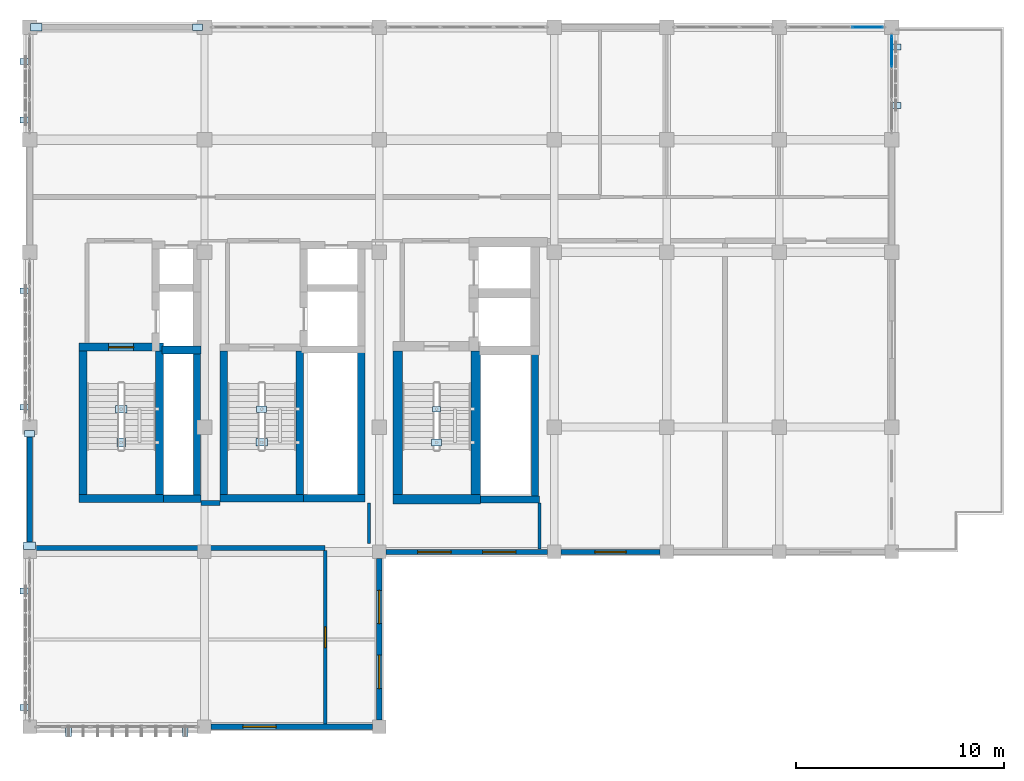
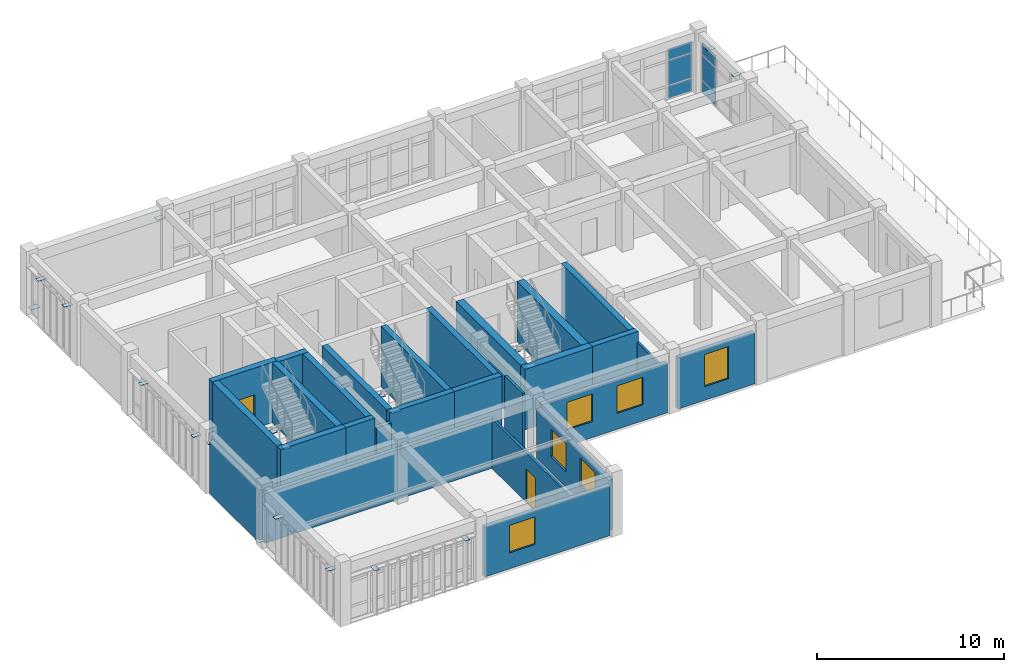
# One storey, part 18 of 22: 27 walls, 26 plates, 6 windows, 2 doors, 8 openings, 2 elements without a shape of their own.
"""IFC4 building model written with IfcOpenShell, lengths in metres."""

from ifc_helpers import new_model, si_unit, direction, frame, frame_2d, origin, origin_2d, place, context, subcontext, project, spatial, rectangle, extrude, material, layer, layer_set, type_object, element, fill, aggregate, save


model = new_model("IFC4")

# Units and contexts
model_context = context("Model", 3, precision=1e-05, world=origin(), true_north=direction((0.0, 1.0)))
body_context = subcontext(model_context, "Body", "Model", "MODEL_VIEW")
ifc_project = project(units=[si_unit("LENGTHUNIT", "METRE"), si_unit("AREAUNIT", "SQUARE_METRE"), si_unit("VOLUMEUNIT", "CUBIC_METRE"), si_unit("PLANEANGLEUNIT", "RADIAN"), si_unit("MASSUNIT", "GRAM", prefix="KILO")], contexts=[model_context])

# Site, building, storey
site_placement = place(None, origin())
site = spatial("IfcSite", under=ifc_project, at=site_placement, CompositionType="ELEMENT")
building_placement = place(site_placement, origin())
building = spatial("IfcBuilding", under=site, at=building_placement, Name="Krzemoval Escarpment Law Courts", CompositionType="ELEMENT")
storey_placement = place(building_placement, frame((0.0, 0.0, 29.39990234375)))
storey = spatial("IfcBuildingStorey", under=building, at=storey_placement, Name="L06", CompositionType="ELEMENT", Elevation=29.39990234375)

# Curtain wall, plates
ifc_material_1 = material(Name="Aluminium 6063-T6", Category="aluminium")
ifc_layer_1 = layer(ifc_material_1, 0.219970703125)
ifc_layer_set_1 = layer_set([ifc_layer_1], Name="Aluminium 6063-T6")
curtain_wall_type = type_object("IfcCurtainWallType", Name="CW-CHMB-4200", PredefinedType="USERDEFINED", material=ifc_layer_set_1)
curtain_wall_1_placement = place(storey_placement, origin())
curtain_wall_1 = element("IfcCurtainWall", 1, at=curtain_wall_1_placement, inside=storey, type_object=curtain_wall_type, Name="Unitised Curtain Wall FCW-L06-152", ObjectType="UNITISED_CURTAIN_WALL", PredefinedType="USERDEFINED")
ifc_material_2 = material(Name="Triple Glazing IGU", Category="glass")
ifc_layer_2 = layer(ifc_material_2, 0.0419921875)
ifc_layer_set_2 = layer_set([ifc_layer_2], Name="Triple Glazing IGU")
plate_type_1 = type_object("IfcPlateType", Name="CWP-GLZ-42", PredefinedType="CURTAIN_PANEL", material=ifc_layer_set_2)
plate_1_placement = place(storey_placement, frame((166.25048828125, 118.800048828125, 0.06494140625), z_axis=(0.0, 0.0, 1.0), x_axis=(1.0, 0.0, 0.0)))
plate_1 = element("IfcPlate", 2, at=plate_1_placement, type_object=plate_type_1, Name="FCW-L06-152 panel 3.1", PredefinedType="CURTAIN_PANEL", context=body_context, shape_type="SweptSolid", body=[
    extrude(rectangle(XDim=1.46923828125, YDim=0.0419921875, at=origin_2d()), origin(), (0.0, 0.0, 1.0), 0.802490234375),
])
plate_2_placement = place(storey_placement, frame((166.25048828125, 118.800048828125, 0.9326171875), z_axis=(0.0, 0.0, 1.0), x_axis=(1.0, 0.0, 0.0)))
plate_2 = element("IfcPlate", 3, at=plate_2_placement, type_object=plate_type_1, Name="FCW-L06-152 panel 3.2", PredefinedType="CURTAIN_PANEL", context=body_context, shape_type="SweptSolid", body=[
    extrude(rectangle(XDim=1.46923828125, YDim=0.0419921875, at=origin_2d()), origin(), (0.0, 0.0, 1.0), 1.5849609375),
])
plate_3_placement = place(storey_placement, frame((166.25048828125, 118.800048828125, 2.58251953125), z_axis=(0.0, 0.0, 1.0), x_axis=(1.0, 0.0, 0.0)))
plate_3 = element("IfcPlate", 4, at=plate_3_placement, type_object=plate_type_1, Name="FCW-L06-152 panel 3.3", PredefinedType="CURTAIN_PANEL", context=body_context, shape_type="SweptSolid", body=[
    extrude(rectangle(XDim=1.46923828125, YDim=0.0419921875, at=origin_2d()), origin(), (0.0, 0.0, 1.0), 0.702392578125),
])
aggregate(curtain_wall_1, [plate_1, plate_2, plate_3])

curtain_wall_2_placement = place(storey_placement, origin())
curtain_wall_2 = element("IfcCurtainWall", 5, at=curtain_wall_2_placement, inside=storey, type_object=curtain_wall_type, Name="Unitised Curtain Wall FCW-L06-153", ObjectType="UNITISED_CURTAIN_WALL", PredefinedType="USERDEFINED")
plate_4_placement = place(storey_placement, frame((167.39990234375, 117.650390625, 0.06494140625), z_axis=(0.0, 0.0, 1.0), x_axis=(0.0, -1.0, 0.0)))
plate_4 = element("IfcPlate", 6, at=plate_4_placement, type_object=plate_type_1, Name="FCW-L06-153 panel 1.1", PredefinedType="CURTAIN_PANEL", context=body_context, shape_type="SweptSolid", body=[
    extrude(rectangle(XDim=1.46923828125, YDim=0.0419921875, at=origin_2d()), origin(), (0.0, 0.0, 1.0), 0.802490234375),
])
plate_5_placement = place(storey_placement, frame((167.39990234375, 117.650390625, 0.9326171875), z_axis=(0.0, 0.0, 1.0), x_axis=(0.0, -1.0, 0.0)))
plate_5 = element("IfcPlate", 7, at=plate_5_placement, type_object=plate_type_1, Name="FCW-L06-153 panel 1.2", PredefinedType="CURTAIN_PANEL", context=body_context, shape_type="SweptSolid", body=[
    extrude(rectangle(XDim=1.46923828125, YDim=0.0419921875, at=origin_2d()), origin(), (0.0, 0.0, 1.0), 1.5849609375),
])
plate_6_placement = place(storey_placement, frame((167.39990234375, 117.650390625, 2.58251953125), z_axis=(0.0, 0.0, 1.0), x_axis=(0.0, -1.0, 0.0)))
plate_6 = element("IfcPlate", 8, at=plate_6_placement, type_object=plate_type_1, Name="FCW-L06-153 panel 1.3", PredefinedType="CURTAIN_PANEL", context=body_context, shape_type="SweptSolid", body=[
    extrude(rectangle(XDim=1.46923828125, YDim=0.0419921875, at=origin_2d()), origin(), (0.0, 0.0, 1.0), 0.75244140625),
])
aggregate(curtain_wall_2, [plate_4, plate_5, plate_6])

# Plates
ifc_material_3 = material(Name="Anodised Aluminium Alloy 6063-T6", Category="aluminium")
ifc_layer_3 = layer(ifc_material_3, 0.01611328125)
ifc_layer_set_3 = layer_set([ifc_layer_3], Name="Anodised Aluminium Alloy 6063-T6")
plate_type_2 = type_object("IfcPlateType", Name="PLT-FIN-16", PredefinedType="USERDEFINED", material=ifc_layer_set_3)
for number, where, z_axis, x_axis, name in (
    (9, (133.47509765625, 85.0, 3.02197265625), (0.0, 0.0, 1.0), (0.0, -1.0, 0.0), "Sunshade Fin Blade FN-L06-0963"),
    (10, (127.875, 85.0, 3.02197265625), (0.0, 0.0, 1.0), (0.0, -1.0, 0.0), "Sunshade Fin Blade FN-L06-0971"),
    (11, (125.800048828125, 86.125, 3.02197265625), (0.0, 0.0, 1.0), (-1.0, 0.0, 0.0), "Sunshade Fin Blade FN-L06-0974"),
    (12, (125.800048828125, 91.72509765625, 3.02197265625), (0.0, 0.0, 1.0), (-1.0, 0.0, 0.0), "Sunshade Fin Blade FN-L06-0982"),
    (13, (125.800048828125, 100.550048828125, 3.02197265625), (0.0, 0.0, 1.0), (-1.0, 0.0, 0.0), "Sunshade Fin Blade FN-L06-0985"),
    (14, (125.800048828125, 106.14990234375, 3.02197265625), (0.0, 0.0, 1.0), (-1.0, 0.0, 0.0), "Sunshade Fin Blade FN-L06-0993"),
    (15, (125.800048828125, 114.35009765625, 3.172119140625), (0.0, 0.0, 1.0), (-1.0, 0.0, 0.0), "Sunshade Fin Blade FN-L06-0996"),
    (16, (125.800048828125, 117.14990234375, 3.172119140625), (0.0, 0.0, 1.0), (-1.0, 0.0, 0.0), "Sunshade Fin Blade FN-L06-1000"),
    (17, (167.60009765625, 117.85009765625, 3.172119140625), (0.0, 0.0, 1.0), (1.0, 0.0, 0.0), "Sunshade Fin Blade FN-L06-1003"),
    (18, (167.60009765625, 115.050048828125, 3.172119140625), (0.0, 0.0, 1.0), (1.0, 0.0, 0.0), "Sunshade Fin Blade FN-L06-1007"),
):
    element("IfcPlate", number, at=place(storey_placement, frame(where, z_axis=z_axis, x_axis=x_axis)), inside=storey, type_object=plate_type_2, Name=name, ObjectType="SUNSHADE_FIN", PredefinedType="USERDEFINED", context=body_context, shape_type="SweptSolid", body=[
        extrude(rectangle(XDim=0.52001953125, YDim=0.280029296875, at=origin_2d()), origin(), (0.0, 0.0, 1.0), 0.01611328125),
    ])
ifc_material_4 = material(Name="Steel S355", Category="steel")
ifc_layer_4 = layer(ifc_material_4, 0.02392578125)
ifc_layer_set_4 = layer_set([ifc_layer_4], Name="Steel S355")
plate_type_3 = type_object("IfcPlateType", Name="PLT-FLG-24", PredefinedType="USERDEFINED", material=ifc_layer_set_4)
plate_7_placement = place(storey_placement, frame((130.39990234375, 98.860107421875, 1.658203125), z_axis=(0.0, 0.0, 1.0), x_axis=(1.0, 0.0, 0.0)))
element("IfcPlate", 19, at=plate_7_placement, inside=storey, type_object=plate_type_3, Name="Gusset and End-Cap Plate ECP-0310", ObjectType="FLANGE_PLATE", PredefinedType="USERDEFINED", context=body_context, shape_type="SweptSolid", body=[
    extrude(rectangle(XDim=0.419921875, YDim=0.419921875, at=origin_2d()), origin(), (0.0, 0.0, 1.0), 0.02392578125),
])
ifc_material_5 = material(Name="Steel S355", Category="steel")
ifc_layer_5 = layer(ifc_material_5, 0.01611328125)
ifc_layer_set_5 = layer_set([ifc_layer_5], Name="Steel S355")
plate_type_4 = type_object("IfcPlateType", Name="PLT-GUS-16", PredefinedType="USERDEFINED", material=ifc_layer_set_5)
plate_8_placement = place(storey_placement, frame((145.550048828125, 100.4599609375, 1.662109375), z_axis=(0.0, 0.0, 1.0), x_axis=(1.0, 0.0, 0.0)))
element("IfcPlate", 20, at=plate_8_placement, inside=storey, type_object=plate_type_4, Name="Gusset and End-Cap Plate ECP-0355", ObjectType="GUSSET_PLATE", PredefinedType="USERDEFINED", context=body_context, shape_type="SweptSolid", body=[
    extrude(rectangle(XDim=0.3798828125, YDim=0.260009765625, at=origin_2d()), origin(), (0.0, 0.0, 1.0), 0.01611328125),
])
ifc_material_6 = material(Name="Steel S355", Category="steel")
ifc_layer_6 = layer(ifc_material_6, 0.02001953125)
ifc_layer_set_6 = layer_set([ifc_layer_6], Name="Steel S355")
plate_type_5 = type_object("IfcPlateType", Name="PLT-GUS-20", PredefinedType="USERDEFINED", material=ifc_layer_set_6)
for number, where, z_axis, x_axis, name in (
    (21, (126.0, 99.27490234375, 3.260009765625), (0.0, 0.0, 1.0), (1.0, 0.0, 0.0), "Gusset and End-Cap Plate ECP-0275"),
    (22, (134.074951171875, 118.800048828125, 3.260009765625), (0.0, 0.0, 1.0), (1.0, 0.0, 0.0), "Gusset and End-Cap Plate ECP-0285"),
    (23, (137.14990234375, 100.4599609375, 1.66015625), (0.0, 0.0, 1.0), (1.0, 0.0, 0.0), "Gusset and End-Cap Plate ECP-0333"),
    (24, (145.550048828125, 98.860107421875, 1.66015625), (0.0, 0.0, 1.0), (1.0, 0.0, 0.0), "Gusset and End-Cap Plate ECP-0354"),
):
    element("IfcPlate", number, at=place(storey_placement, frame(where, z_axis=z_axis, x_axis=x_axis)), inside=storey, type_object=plate_type_5, Name=name, ObjectType="GUSSET_PLATE", PredefinedType="USERDEFINED", context=body_context, shape_type="SweptSolid", body=[
        extrude(rectangle(XDim=0.47998046875, YDim=0.320068359375, at=origin_2d()), origin(), (0.0, 0.0, 1.0), 0.02001953125),
    ])
ifc_material_7 = material(Name="Steel S355", Category="steel")
ifc_layer_7 = layer(ifc_material_7, 0.030029296875)
ifc_layer_set_7 = layer_set([ifc_layer_7], Name="Steel S355")
plate_type_6 = type_object("IfcPlateType", Name="PLT-GUS-30", PredefinedType="USERDEFINED", material=ifc_layer_set_7)
for number, where, z_axis, x_axis, name in (
    (25, (126.0, 93.89990234375, 0.125), (0.0, 0.0, 1.0), (1.0, 0.0, 0.0), "Gusset and End-Cap Plate ECP-0274"),
    (26, (126.324951171875, 118.800048828125, 0.125), (0.0, 0.0, 1.0), (1.0, 0.0, 0.0), "Gusset and End-Cap Plate ECP-0284"),
    (27, (130.39990234375, 100.4599609375, 1.6552734375), (0.0, 0.0, 1.0), (1.0, 0.0, 0.0), "Gusset and End-Cap Plate ECP-0311"),
    (28, (137.14990234375, 98.860107421875, 1.6552734375), (0.0, 0.0, 1.0), (1.0, 0.0, 0.0), "Gusset and End-Cap Plate ECP-0332"),
):
    element("IfcPlate", number, at=place(storey_placement, frame(where, z_axis=z_axis, x_axis=x_axis)), inside=storey, type_object=plate_type_6, Name=name, ObjectType="GUSSET_PLATE", PredefinedType="USERDEFINED", context=body_context, shape_type="SweptSolid", body=[
        extrude(rectangle(XDim=0.56005859375, YDim=0.360107421875, at=origin_2d()), origin(), (0.0, 0.0, 1.0), 0.030029296875),
    ])

# Wall, opening, window
ifc_material_8 = material(Name="Precast concrete C40/50", Category="concrete")
ifc_layer_8 = layer(ifc_material_8, 0.260009765625)
ifc_layer_set_8 = layer_set([ifc_layer_8], Name="Precast concrete C40/50")
wall_type_1 = type_object("IfcWallType", Name="WL-EXT-260", PredefinedType="SOLIDWALL", material=ifc_layer_set_8)
wall_1_placement = place(storey_placement, frame((142.47509765625, 85.199951171875, 0.0), z_axis=(0.0, 0.0, 1.0), x_axis=(-1.0, 0.0, 0.0)))
wall_1 = element("IfcWall", 29, at=wall_1_placement, inside=storey, type_object=wall_type_1, Name="Exterior Wall EW-L06-0441", PredefinedType="SOLIDWALL", context=body_context, shape_type="SweptSolid", body=[
    extrude(rectangle(XDim=7.75, YDim=0.260009765625, at=frame_2d((3.875, 0.0))), origin(), (0.0, 0.0, 1.0), 3.25),
])
opening_1_placement = place(wall_1_placement, frame((4.633056640625, 0.0, 1.050048828125)))
opening_1 = element("IfcOpeningElement", 30, at=opening_1_placement, cuts=wall_1, Name="Opening WN-L06-0526", PredefinedType="OPENING", context=body_context, shape_type="SweptSolid", body=[
    extrude(rectangle(XDim=1.60009765625, YDim=1.800048828125, at=frame_2d((0.800048828125, 0.89990234375))), frame((0.0, 0.145, 0.0), z_axis=(0.0, -1.0, 0.0), x_axis=(1.0, 0.0, 0.0)), (0.0, 0.0, 1.0), 0.29001),
])
ifc_material_9 = material(Name="Thermally Broken Aluminium Frame with Triple Low-E Acoustic Glass", Category="aluminium")
window_type_1 = type_object("IfcWindowType", Name="WN-1600x1800", PartitioningType="SINGLE_PANEL", PredefinedType="WINDOW", material=ifc_material_9)
window_1_placement = place(opening_1_placement, origin())
window_1 = element("IfcWindow", 31, at=window_1_placement, inside=storey, type_object=window_type_1, Name="Facade Window WN-L06-0526", OverallHeight=1.800048828125, OverallWidth=1.60009765625, PartitioningType="SINGLE_PANEL", PredefinedType="WINDOW", context=body_context, shape_type="SweptSolid", body=[
    extrude(rectangle(XDim=1.60009765625, YDim=1.800048828125, at=frame_2d((0.800048828125, 0.89990234375))), frame((0.0, 0.030029296875, 0.0), z_axis=(0.0, -1.0, 0.0), x_axis=(1.0, 0.0, 0.0)), (0.0, 0.0, 1.0), 0.06005859375),
])
fill(opening_1, window_1)

# Wall
wall_2_placement = place(storey_placement, frame((126.0, 93.925048828125, 0.0), z_axis=(0.0, 0.0, 1.0), x_axis=(0.0, 1.0, 0.0)))
element("IfcWall", 32, at=wall_2_placement, inside=storey, type_object=wall_type_1, Name="Exterior Wall EW-L06-0442", PredefinedType="SOLIDWALL", context=body_context, shape_type="SweptSolid", body=[
    extrude(rectangle(XDim=5.324951171875, YDim=0.260009765625, at=frame_2d((2.66259765625, 0.0))), origin(), (0.0, 0.0, 1.0), 3.400146484375),
])

# Wall, opening, window
wall_3_placement = place(storey_placement, frame((156.27490234375, 93.60009765625, 0.0), z_axis=(0.0, 0.0, 1.0), x_axis=(-1.0, 0.0, 0.0)))
wall_3 = element("IfcWall", 33, at=wall_3_placement, inside=storey, type_object=wall_type_1, Name="Exterior Wall EW-L06-0451", PredefinedType="SOLIDWALL", context=body_context, shape_type="SweptSolid", body=[
    extrude(rectangle(XDim=4.75, YDim=0.260009765625, at=frame_2d((2.375, 0.0))), origin(), (0.0, 0.0, 1.0), 3.35009765625),
])
opening_2_placement = place(wall_3_placement, frame((1.625, 0.0, 0.89990234375)))
opening_2 = element("IfcOpeningElement", 34, at=opening_2_placement, cuts=wall_3, Name="Opening WN-L06-0530", PredefinedType="OPENING", context=body_context, shape_type="SweptSolid", body=[
    extrude(rectangle(XDim=1.5, YDim=2.10009765625, at=frame_2d((0.75, 1.050048828125))), frame((0.0, 0.145, 0.0), z_axis=(0.0, -1.0, 0.0), x_axis=(1.0, 0.0, 0.0)), (0.0, 0.0, 1.0), 0.29001),
])
ifc_material_10 = material(Name="Thermally Broken Aluminium Frame with Triple Low-E Acoustic Glass", Category="aluminium")
window_type_2 = type_object("IfcWindowType", Name="WN-1500x2100", PartitioningType="SINGLE_PANEL", PredefinedType="WINDOW", material=ifc_material_10)
window_2_placement = place(opening_2_placement, origin())
window_2 = element("IfcWindow", 35, at=window_2_placement, inside=storey, type_object=window_type_2, Name="Facade Window WN-L06-0530", OverallHeight=2.10009765625, OverallWidth=1.5, PartitioningType="SINGLE_PANEL", PredefinedType="WINDOW", context=body_context, shape_type="SweptSolid", body=[
    extrude(rectangle(XDim=1.5, YDim=2.10009765625, at=frame_2d((0.75, 1.050048828125))), frame((0.0, 0.030029296875, 0.0), z_axis=(0.0, -1.0, 0.0), x_axis=(1.0, 0.0, 0.0)), (0.0, 0.0, 1.0), 0.06005859375),
])
fill(opening_2, window_2)

# Wall, openings, windows
wall_4_placement = place(storey_placement, frame((150.875, 93.60009765625, 0.0), z_axis=(0.0, 0.0, 1.0), x_axis=(-1.0, 0.0, 0.0)))
wall_4 = element("IfcWall", 36, at=wall_4_placement, inside=storey, type_object=wall_type_1, Name="Exterior Wall EW-L06-0452", PredefinedType="SOLIDWALL", context=body_context, shape_type="SweptSolid", body=[
    extrude(rectangle(XDim=7.75, YDim=0.260009765625, at=frame_2d((3.875, 0.0))), origin(), (0.0, 0.0, 1.0), 3.25),
])
opening_3_placement = place(wall_4_placement, frame((1.51708984375, 0.0, 1.050048828125)))
opening_3 = element("IfcOpeningElement", 37, at=opening_3_placement, cuts=wall_4, Name="Opening WN-L06-0531", PredefinedType="OPENING", context=body_context, shape_type="SweptSolid", body=[
    extrude(rectangle(XDim=1.60009765625, YDim=1.800048828125, at=frame_2d((0.800048828125, 0.89990234375))), frame((0.0, 0.145, 0.0), z_axis=(0.0, -1.0, 0.0), x_axis=(1.0, 0.0, 0.0)), (0.0, 0.0, 1.0), 0.29001),
])
opening_4_placement = place(wall_4_placement, frame((4.633056640625, 0.0, 1.050048828125)))
opening_4 = element("IfcOpeningElement", 38, at=opening_4_placement, cuts=wall_4, Name="Opening WN-L06-0532", PredefinedType="OPENING", context=body_context, shape_type="SweptSolid", body=[
    extrude(rectangle(XDim=1.60009765625, YDim=1.800048828125, at=frame_2d((0.800048828125, 0.89990234375))), frame((0.0, 0.145, 0.0), z_axis=(0.0, -1.0, 0.0), x_axis=(1.0, 0.0, 0.0)), (0.0, 0.0, 1.0), 0.29001),
])
window_3_placement = place(opening_3_placement, origin())
window_3 = element("IfcWindow", 39, at=window_3_placement, inside=storey, type_object=window_type_1, Name="Facade Window WN-L06-0531", OverallHeight=1.800048828125, OverallWidth=1.60009765625, PartitioningType="SINGLE_PANEL", PredefinedType="WINDOW", context=body_context, shape_type="SweptSolid", body=[
    extrude(rectangle(XDim=1.60009765625, YDim=1.800048828125, at=frame_2d((0.800048828125, 0.89990234375))), frame((0.0, 0.030029296875, 0.0), z_axis=(0.0, -1.0, 0.0), x_axis=(1.0, 0.0, 0.0)), (0.0, 0.0, 1.0), 0.06005859375),
])
fill(opening_3, window_3)
window_4_placement = place(opening_4_placement, origin())
window_4 = element("IfcWindow", 40, at=window_4_placement, inside=storey, type_object=window_type_1, Name="Facade Window WN-L06-0532", OverallHeight=1.800048828125, OverallWidth=1.60009765625, PartitioningType="SINGLE_PANEL", PredefinedType="WINDOW", context=body_context, shape_type="SweptSolid", body=[
    extrude(rectangle(XDim=1.60009765625, YDim=1.800048828125, at=frame_2d((0.800048828125, 0.89990234375))), frame((0.0, 0.030029296875, 0.0), z_axis=(0.0, -1.0, 0.0), x_axis=(1.0, 0.0, 0.0)), (0.0, 0.0, 1.0), 0.06005859375),
])
fill(opening_4, window_4)

wall_5_placement = place(storey_placement, frame((142.800048828125, 93.27490234375, 0.0), z_axis=(0.0, 0.0, 1.0), x_axis=(0.0, -1.0, 0.0)))
wall_5 = element("IfcWall", 41, at=wall_5_placement, inside=storey, type_object=wall_type_1, Name="Exterior Wall EW-L06-0453", PredefinedType="SOLIDWALL", context=body_context, shape_type="SweptSolid", body=[
    extrude(rectangle(XDim=7.75, YDim=0.260009765625, at=frame_2d((3.875, 0.0))), origin(), (0.0, 0.0, 1.0), 3.25),
])
opening_5_placement = place(wall_5_placement, frame((1.51708984375, 0.0, 1.050048828125)))
opening_5 = element("IfcOpeningElement", 42, at=opening_5_placement, cuts=wall_5, Name="Opening WN-L06-0533", PredefinedType="OPENING", context=body_context, shape_type="SweptSolid", body=[
    extrude(rectangle(XDim=1.60009765625, YDim=1.800048828125, at=frame_2d((0.800048828125, 0.89990234375))), frame((0.0, 0.145, 0.0), z_axis=(0.0, -1.0, 0.0), x_axis=(1.0, 0.0, 0.0)), (0.0, 0.0, 1.0), 0.29001),
])
opening_6_placement = place(wall_5_placement, frame((4.633056640625, 0.0, 1.050048828125)))
opening_6 = element("IfcOpeningElement", 43, at=opening_6_placement, cuts=wall_5, Name="Opening WN-L06-0534", PredefinedType="OPENING", context=body_context, shape_type="SweptSolid", body=[
    extrude(rectangle(XDim=1.60009765625, YDim=1.800048828125, at=frame_2d((0.800048828125, 0.89990234375))), frame((0.0, 0.145, 0.0), z_axis=(0.0, -1.0, 0.0), x_axis=(1.0, 0.0, 0.0)), (0.0, 0.0, 1.0), 0.29001),
])
window_5_placement = place(opening_5_placement, origin())
window_5 = element("IfcWindow", 44, at=window_5_placement, inside=storey, type_object=window_type_1, Name="Facade Window WN-L06-0533", OverallHeight=1.800048828125, OverallWidth=1.60009765625, PartitioningType="SINGLE_PANEL", PredefinedType="WINDOW", context=body_context, shape_type="SweptSolid", body=[
    extrude(rectangle(XDim=1.60009765625, YDim=1.800048828125, at=frame_2d((0.800048828125, 0.89990234375))), frame((0.0, 0.030029296875, 0.0), z_axis=(0.0, -1.0, 0.0), x_axis=(1.0, 0.0, 0.0)), (0.0, 0.0, 1.0), 0.06005859375),
])
fill(opening_5, window_5)
window_6_placement = place(opening_6_placement, origin())
window_6 = element("IfcWindow", 45, at=window_6_placement, inside=storey, type_object=window_type_1, Name="Facade Window WN-L06-0534", OverallHeight=1.800048828125, OverallWidth=1.60009765625, PartitioningType="SINGLE_PANEL", PredefinedType="WINDOW", context=body_context, shape_type="SweptSolid", body=[
    extrude(rectangle(XDim=1.60009765625, YDim=1.800048828125, at=frame_2d((0.800048828125, 0.89990234375))), frame((0.0, 0.030029296875, 0.0), z_axis=(0.0, -1.0, 0.0), x_axis=(1.0, 0.0, 0.0)), (0.0, 0.0, 1.0), 0.06005859375),
])
fill(opening_6, window_6)

# Wall
ifc_material_11 = material(Name="Sanitary Moisture-Resistant Partition", Category="gypsum")
ifc_layer_9 = layer(ifc_material_11, 0.139892578125)
ifc_layer_set_9 = layer_set([ifc_layer_9], Name="Sanitary Moisture-Resistant Partition")
wall_type_2 = type_object("IfcWallType", Name="WL-PRT-140", PredefinedType="PARTITIONING", material=ifc_layer_set_9)
wall_6_placement = place(storey_placement, frame((150.5, 93.73193359375, 0.0), z_axis=(0.0, 0.0, 1.0), x_axis=(0.0, 1.0, 0.0)))
element("IfcWall", 46, at=wall_6_placement, inside=storey, type_object=wall_type_2, Name="Interior Partition PW-L06-0688", PredefinedType="PARTITIONING", context=body_context, shape_type="SweptSolid", body=[
    extrude(rectangle(XDim=2.216064453125, YDim=0.139892578125, at=frame_2d((1.10791015625, 0.0))), origin(), (0.0, 0.0, 1.0), 3.25),
])

# Wall, opening, door
ifc_material_12 = material(Name="Office Acoustic Partition Wall", Category="gypsum")
ifc_layer_10 = layer(ifc_material_12, 0.14990234375)
ifc_layer_set_10 = layer_set([ifc_layer_10], Name="Office Acoustic Partition Wall")
wall_type_3 = type_object("IfcWallType", Name="WL-PRT-150", PredefinedType="PARTITIONING", material=ifc_layer_set_10)
wall_7_placement = place(storey_placement, frame((140.199951171875, 85.33203125, 0.0), z_axis=(0.0, 0.0, 1.0), x_axis=(0.0, 1.0, 0.0)))
wall_7 = element("IfcWall", 47, at=wall_7_placement, inside=storey, type_object=wall_type_3, Name="Interior Partition PW-L06-0684", PredefinedType="PARTITIONING", context=body_context, shape_type="SweptSolid", body=[
    extrude(rectangle(XDim=8.345947265625, YDim=0.14990234375, at=frame_2d((4.1728515625, 0.0))), origin(), (0.0, 0.0, 1.0), 3.25),
])
opening_7_placement = place(wall_7_placement, frame((3.673095703125, 0.0, 0.0)))
opening_7 = element("IfcOpeningElement", 48, at=opening_7_placement, cuts=wall_7, Name="Opening D-L06-0232", PredefinedType="OPENING", context=body_context, shape_type="SweptSolid", body=[
    extrude(rectangle(XDim=1.0, YDim=2.199951171875, at=frame_2d((0.5, 1.10009765625))), frame((0.0, 0.08995, 0.0), z_axis=(0.0, -1.0, 0.0), x_axis=(1.0, 0.0, 0.0)), (0.0, 0.0, 1.0), 0.1799),
])
ifc_material_13 = material(Name="Engineered Solid-Core Oak Acoustic Timber", Category="wood")
door_type_1 = type_object("IfcDoorType", Name="DR-INT-1000x2200", OperationType="SINGLE_SWING_LEFT", PredefinedType="DOOR", material=ifc_material_13)
door_1_placement = place(opening_7_placement, origin())
door_1 = element("IfcDoor", 49, at=door_1_placement, inside=storey, type_object=door_type_1, Name="Room Door D-L06-0232", OperationType="SINGLE_SWING_LEFT", OverallHeight=2.199951171875, OverallWidth=1.0, PredefinedType="DOOR", context=body_context, shape_type="SweptSolid", body=[
    extrude(rectangle(XDim=1.0, YDim=2.199951171875, at=frame_2d((0.5, 1.10009765625))), frame((0.0, 0.02490234375, 0.0), z_axis=(0.0, -1.0, 0.0), x_axis=(1.0, 0.0, 0.0)), (0.0, 0.0, 1.0), 0.050048828125),
])
fill(opening_7, door_1)

# Walls
wall_8_placement = place(storey_placement, frame((142.300048828125, 94.0, 0.0), z_axis=(0.0, 0.0, 1.0), x_axis=(0.0, 1.0, 0.0)))
element("IfcWall", 50, at=wall_8_placement, inside=storey, type_object=wall_type_3, Name="Interior Partition PW-L06-0685", PredefinedType="PARTITIONING", context=body_context, shape_type="SweptSolid", body=[
    extrude(rectangle(XDim=1.949951171875, YDim=0.14990234375, at=frame_2d((0.97509765625, 0.0))), origin(), (0.0, 0.0, 1.0), 3.9501953125),
])
ifc_material_14 = material(Name="Acoustic Courtroom Partition Assembly", Category="gypsum")
ifc_layer_11 = layer(ifc_material_14, 0.239990234375)
ifc_layer_set_11 = layer_set([ifc_layer_11], Name="Acoustic Courtroom Partition Assembly")
wall_type_4 = type_object("IfcWallType", Name="WL-PRT-240", PredefinedType="PARTITIONING", material=ifc_layer_set_11)
wall_9_placement = place(storey_placement, frame((126.089111328125, 93.800048828125, 0.0), z_axis=(0.0, 0.0, 1.0), x_axis=(1.0, 0.0, 0.0)))
element("IfcWall", 51, at=wall_9_placement, inside=storey, type_object=wall_type_4, Name="Interior Partition PW-L06-0668", PredefinedType="PARTITIONING", context=body_context, shape_type="SweptSolid", body=[
    extrude(rectangle(XDim=14.11083984375, YDim=0.239990234375, at=frame_2d((7.055419921875, 0.0))), origin(), (0.0, 0.0, 1.0), 3.25),
])
wall_10_placement = place(storey_placement, frame((134.22998046875, 95.949951171875, 0.0), z_axis=(0.0, 0.0, 1.0), x_axis=(1.0, 0.0, 0.0)))
element("IfcWall", 52, at=wall_10_placement, inside=storey, type_object=wall_type_4, Name="Interior Partition PW-L06-0669", PredefinedType="PARTITIONING", context=body_context, shape_type="SweptSolid", body=[
    extrude(rectangle(XDim=0.919921875, YDim=0.239990234375, at=frame_2d((0.4599609375, 0.0))), origin(), (0.0, 0.0, 1.0), 3.400146484375),
])
ifc_material_15 = material(Name="Concrete C40/50", Category="concrete")
ifc_layer_12 = layer(ifc_material_15, 0.35009765625)
ifc_layer_set_12 = layer_set([ifc_layer_12], Name="Concrete C40/50")
wall_type_5 = type_object("IfcWallType", Name="WL-SHW-350", PredefinedType="SHEAR", material=ifc_layer_set_12)
wall_11_placement = place(storey_placement, frame((132.429931640625, 96.159912109375, 0.0), z_axis=(0.0, 0.0, 1.0), x_axis=(1.0, 0.0, 0.0)))
element("IfcWall", 53, at=wall_11_placement, inside=storey, type_object=wall_type_5, Name="Riser Shaft Wall SW-L06-0103", PredefinedType="SHEAR", context=body_context, shape_type="SweptSolid", body=[
    extrude(rectangle(XDim=1.800048828125, YDim=0.35009765625, at=frame_2d((0.89990234375, 0.0))), origin(), (0.0, 0.0, 1.0), 3.9501953125),
])
wall_12_placement = place(storey_placement, frame((134.0400390625, 96.330078125, 0.0), z_axis=(0.0, 0.0, 1.0), x_axis=(0.0, 1.0, 0.0)))
element("IfcWall", 54, at=wall_12_placement, inside=storey, type_object=wall_type_5, Name="Riser Shaft Wall SW-L06-0104", PredefinedType="SHEAR", context=body_context, shape_type="SweptSolid", body=[
    extrude(rectangle(XDim=7.177001953125, YDim=0.35009765625, at=frame_2d((3.58837890625, 0.0))), origin(), (0.0, 0.0, 1.0), 3.9501953125),
])
wall_13_placement = place(storey_placement, frame((135.14990234375, 96.175048828125, 0.0), z_axis=(0.0, 0.0, 1.0), x_axis=(1.0, 0.0, 0.0)))
element("IfcWall", 55, at=wall_13_placement, inside=storey, type_object=wall_type_5, Name="Core Stair Shear Wall SW-L06-0243", PredefinedType="SHEAR", context=body_context, shape_type="SweptSolid", body=[
    extrude(rectangle(XDim=4.0, YDim=0.35009765625, at=frame_2d((2.0, 0.0))), origin(), (0.0, 0.0, 1.0), 3.9501953125),
])
for number, where, z_axis, x_axis, name in (
    (56, (135.324951171875, 96.35205078125, 0.0), (0.0, 0.0, 1.0), (0.0, 1.0, 0.0), "Core Stair Shear Wall SW-L06-0244"),
    (57, (138.97509765625, 96.35205078125, 0.0), (0.0, 0.0, 1.0), (0.0, 1.0, 0.0), "Core Stair Shear Wall SW-L06-0245"),
):
    element("IfcWall", number, at=place(storey_placement, frame(where, z_axis=z_axis, x_axis=x_axis)), inside=storey, type_object=wall_type_5, Name=name, PredefinedType="SHEAR", context=body_context, shape_type="SweptSolid", body=[
        extrude(rectangle(XDim=6.89599609375, YDim=0.35009765625, at=frame_2d((3.447998046875, 0.0))), origin(), (0.0, 0.0, 1.0), 3.9501953125),
    ])
wall_14_placement = place(storey_placement, frame((139.14990234375, 96.175048828125, 0.0), z_axis=(0.0, 0.0, 1.0), x_axis=(1.0, 0.0, 0.0)))
element("IfcWall", 58, at=wall_14_placement, inside=storey, type_object=wall_type_5, Name="Riser Shaft Wall SW-L06-0253", PredefinedType="SHEAR", context=body_context, shape_type="SweptSolid", body=[
    extrude(rectangle(XDim=2.9501953125, YDim=0.35009765625, at=frame_2d((1.47509765625, 0.0))), origin(), (0.0, 0.0, 1.0), 3.9501953125),
])
wall_15_placement = place(storey_placement, frame((141.925048828125, 96.35205078125, 0.0), z_axis=(0.0, 0.0, 1.0), x_axis=(0.0, 1.0, 0.0)))
element("IfcWall", 59, at=wall_15_placement, inside=storey, type_object=wall_type_5, Name="Riser Shaft Wall SW-L06-0254", PredefinedType="SHEAR", context=body_context, shape_type="SweptSolid", body=[
    extrude(rectangle(XDim=7.155029296875, YDim=0.35009765625, at=frame_2d((3.57763671875, 0.0))), origin(), (0.0, 0.0, 1.0), 3.9501953125),
])
wall_16_placement = place(storey_placement, frame((147.64990234375, 96.125, 0.0), z_axis=(0.0, 0.0, 1.0), x_axis=(1.0, 0.0, 0.0)))
element("IfcWall", 60, at=wall_16_placement, inside=storey, type_object=wall_type_5, Name="Riser Shaft Wall SW-L06-0403", PredefinedType="SHEAR", context=body_context, shape_type="SweptSolid", body=[
    extrude(rectangle(XDim=2.85009765625, YDim=0.35009765625, at=frame_2d((1.425048828125, 0.0))), origin(), (0.0, 0.0, 1.0), 3.9501953125),
])
wall_17_placement = place(storey_placement, frame((150.27490234375, 96.294921875, 0.0), z_axis=(0.0, 0.0, 1.0), x_axis=(0.0, 1.0, 0.0)))
element("IfcWall", 61, at=wall_17_placement, inside=storey, type_object=wall_type_5, Name="Riser Shaft Wall SW-L06-0404", PredefinedType="SHEAR", context=body_context, shape_type="SweptSolid", body=[
    extrude(rectangle(XDim=7.212158203125, YDim=0.35009765625, at=frame_2d((3.60595703125, 0.0))), origin(), (0.0, 0.0, 1.0), 3.9501953125),
])

# Wall, opening, door
ifc_material_16 = material(Name="Concrete C40/50", Category="concrete")
ifc_layer_13 = layer(ifc_material_16, 0.3798828125)
ifc_layer_set_13 = layer_set([ifc_layer_13], Name="Concrete C40/50")
wall_type_6 = type_object("IfcWallType", Name="WL-SHW-380", PredefinedType="SHEAR", material=ifc_layer_set_13)
wall_18_placement = place(storey_placement, frame((128.3701171875, 103.43994140625, 0.0), z_axis=(0.0, 0.0, 1.0), x_axis=(1.0, 0.0, 0.0)))
wall_18 = element("IfcWall", 62, at=wall_18_placement, inside=storey, type_object=wall_type_6, Name="Core Stair Shear Wall SW-L06-0092", PredefinedType="SHEAR", context=body_context, shape_type="SweptSolid", body=[
    extrude(rectangle(XDim=4.059814453125, YDim=0.3798828125, at=frame_2d((2.02978515625, 0.0))), origin(), (0.0, 0.0, 1.0), 3.9501953125),
])
opening_8_placement = place(wall_18_placement, frame((1.429931640625, 0.0, 0.0)))
opening_8 = element("IfcOpeningElement", 63, at=opening_8_placement, cuts=wall_18, Name="Opening SD-ST1-L06", PredefinedType="OPENING", context=body_context, shape_type="SweptSolid", body=[
    extrude(rectangle(XDim=1.199951171875, YDim=2.199951171875, at=frame_2d((0.60009765625, 1.10009765625))), frame((0.0, 0.20494, 0.0), z_axis=(0.0, -1.0, 0.0), x_axis=(1.0, 0.0, 0.0)), (0.0, 0.0, 1.0), 0.40988),
])
ifc_material_17 = material(Name="Galvanised Steel S355", Category="steel")
door_type_2 = type_object("IfcDoorType", Name="DR-STR-1200x2200", OperationType="SINGLE_SWING_LEFT", PredefinedType="DOOR", material=ifc_material_17)
door_2_placement = place(opening_8_placement, origin())
door_2 = element("IfcDoor", 64, at=door_2_placement, inside=storey, type_object=door_type_2, Name="Stair Exit Door SD-ST1-L06", OperationType="SINGLE_SWING_LEFT", OverallHeight=2.199951171875, OverallWidth=1.199951171875, PredefinedType="DOOR", context=body_context, shape_type="SweptSolid", body=[
    extrude(rectangle(XDim=1.199951171875, YDim=2.199951171875, at=frame_2d((0.60009765625, 1.10009765625))), frame((0.0, 0.02490234375, 0.0), z_axis=(0.0, -1.0, 0.0), x_axis=(1.0, 0.0, 0.0)), (0.0, 0.0, 1.0), 0.050048828125),
])
fill(opening_8, door_2)

# Walls
wall_19_placement = place(storey_placement, frame((128.3701171875, 96.159912109375, 0.0), z_axis=(0.0, 0.0, 1.0), x_axis=(1.0, 0.0, 0.0)))
element("IfcWall", 65, at=wall_19_placement, inside=storey, type_object=wall_type_6, Name="Core Stair Shear Wall SW-L06-0093", PredefinedType="SHEAR", context=body_context, shape_type="SweptSolid", body=[
    extrude(rectangle(XDim=4.059814453125, YDim=0.3798828125, at=frame_2d((2.02978515625, 0.0))), origin(), (0.0, 0.0, 1.0), 3.9501953125),
])
for number, where, z_axis, x_axis, name in (
    (66, (128.56005859375, 96.35205078125, 0.0), (0.0, 0.0, 1.0), (0.0, 1.0, 0.0), "Core Stair Shear Wall SW-L06-0094"),
    (67, (132.239990234375, 96.35205078125, 0.0), (0.0, 0.0, 1.0), (0.0, 1.0, 0.0), "Core Stair Shear Wall SW-L06-0095"),
):
    element("IfcWall", number, at=place(storey_placement, frame(where, z_axis=z_axis, x_axis=x_axis)), inside=storey, type_object=wall_type_6, Name=name, PredefinedType="SHEAR", context=body_context, shape_type="SweptSolid", body=[
        extrude(rectangle(XDim=6.89599609375, YDim=0.3798828125, at=frame_2d((3.447998046875, 0.0))), origin(), (0.0, 0.0, 1.0), 3.9501953125),
    ])
wall_20_placement = place(storey_placement, frame((132.363037109375, 103.31005859375, 0.0), z_axis=(0.0, 0.0, 1.0), x_axis=(1.0, 0.0, 0.0)))
element("IfcWall", 68, at=wall_20_placement, inside=storey, type_object=wall_type_6, Name="Lift Shaft Shear Wall SW-L06-0096", PredefinedType="SHEAR", context=body_context, shape_type="SweptSolid", body=[
    extrude(rectangle(XDim=1.866943359375, YDim=0.3798828125, at=frame_2d((0.93359375, 0.0))), origin(), (0.0, 0.0, 1.0), 3.9501953125),
])
ifc_material_18 = material(Name="Concrete C40/50", Category="concrete")
ifc_layer_14 = layer(ifc_material_18, 0.449951171875)
ifc_layer_set_14 = layer_set([ifc_layer_14], Name="Concrete C40/50")
wall_type_7 = type_object("IfcWallType", Name="WL-SHW-450", PredefinedType="SHEAR", material=ifc_layer_set_14)
wall_21_placement = place(storey_placement, frame((143.449951171875, 96.125, 0.0), z_axis=(0.0, 0.0, 1.0), x_axis=(1.0, 0.0, 0.0)))
element("IfcWall", 69, at=wall_21_placement, inside=storey, type_object=wall_type_7, Name="Core Stair Shear Wall SW-L06-0393", PredefinedType="SHEAR", context=body_context, shape_type="SweptSolid", body=[
    extrude(rectangle(XDim=4.199951171875, YDim=0.449951171875, at=frame_2d((2.10009765625, 0.0))), origin(), (0.0, 0.0, 1.0), 3.9501953125),
])
for number, where, z_axis, x_axis, name in (
    (70, (143.675048828125, 96.35205078125, 0.0), (0.0, 0.0, 1.0), (0.0, 1.0, 0.0), "Core Stair Shear Wall SW-L06-0394"),
    (71, (147.425048828125, 96.35205078125, 0.0), (0.0, 0.0, 1.0), (0.0, 1.0, 0.0), "Core Stair Shear Wall SW-L06-0395"),
):
    element("IfcWall", number, at=place(storey_placement, frame(where, z_axis=z_axis, x_axis=x_axis)), inside=storey, type_object=wall_type_7, Name=name, PredefinedType="SHEAR", context=body_context, shape_type="SweptSolid", body=[
        extrude(rectangle(XDim=6.89599609375, YDim=0.449951171875, at=frame_2d((3.447998046875, 0.0))), origin(), (0.0, 0.0, 1.0), 3.9501953125),
    ])

save(model, "model.ifc")
